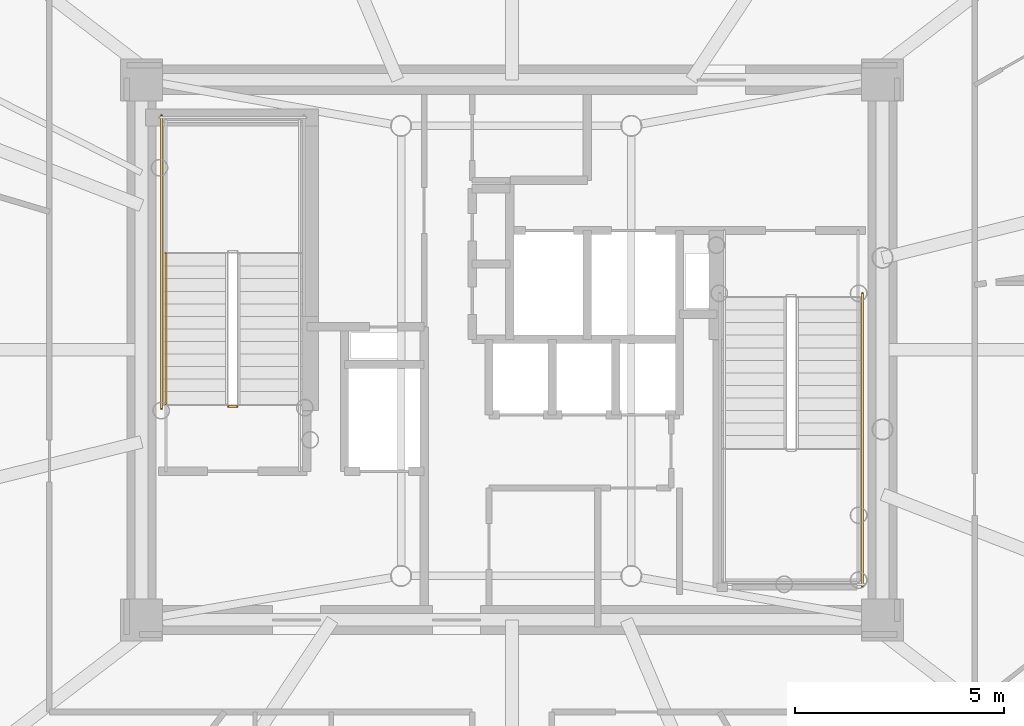
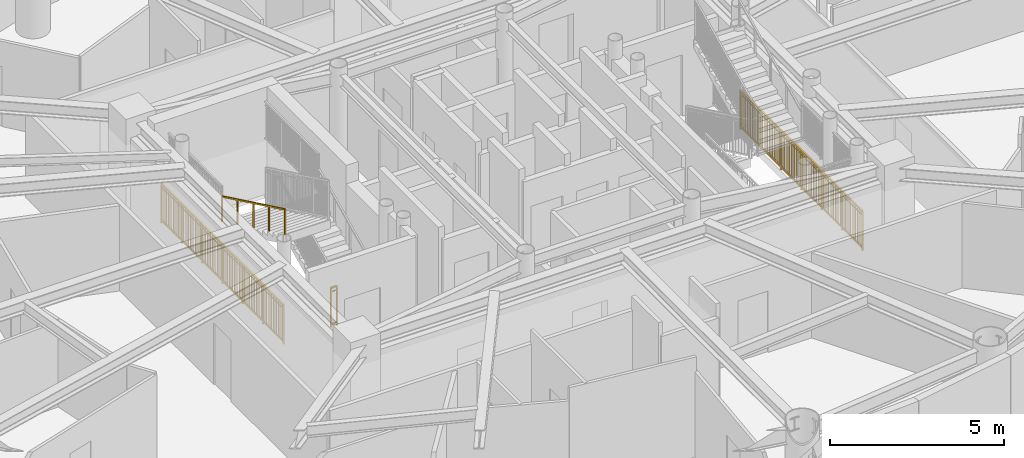
# One storey, part 13 of 17: 4 railings.
"""IFC4 building model written with IfcOpenShell, lengths in metres."""

from ifc_helpers import new_model, si_unit, direction, frame, origin, origin_2d, place, context, subcontext, project, spatial, rectangle, extrude, source, transform, mapped, material, type_object, element, save


model = new_model("IFC4")

# Units and contexts
model_context = context("Model", 3, precision=1e-05, world=origin(), true_north=direction((0.0, 1.0)))
body_context = subcontext(model_context, "Body", "Model", "MODEL_VIEW")
ifc_project = project(units=[si_unit("LENGTHUNIT", "METRE"), si_unit("AREAUNIT", "SQUARE_METRE"), si_unit("VOLUMEUNIT", "CUBIC_METRE"), si_unit("PLANEANGLEUNIT", "RADIAN"), si_unit("MASSUNIT", "GRAM", prefix="KILO")], contexts=[model_context])

# Site, building, storey
site_placement = place(None, origin())
site = spatial("IfcSite", under=ifc_project, at=site_placement, CompositionType="ELEMENT")
building_placement = place(site_placement, origin())
building = spatial("IfcBuilding", under=site, at=building_placement, Name="Linh Dai School and Residence Tower", CompositionType="ELEMENT")
storey_placement = place(building_placement, frame((0.0, 0.0, 280.5)))
storey = spatial("IfcBuildingStorey", under=building, at=storey_placement, Name="L69", CompositionType="ELEMENT", Elevation=280.5)

# Railings
ifc_material_1 = material(Name="Structural Steel S355JR", Category="steel")
railing_type_1 = type_object("IfcRailingType", Name="RL-ST-GUARD-1400", PredefinedType="GUARDRAIL", material=ifc_material_1)
shared_shape_1 = source(origin(), body_context, "Body", "SweptSolid", [
    extrude(rectangle(XDim=0.048095703125, YDim=0.048095703125, at=origin_2d()), frame((0.0, 0.0, 1.3759765625), z_axis=(-1.0, 0.0, 0.0), x_axis=(0.0, -1.0, 0.0)), (0.0, 0.0, 1.0), 0.199951171875),
    extrude(rectangle(XDim=0.048095703125, YDim=0.048095703125, at=origin_2d()), frame((0.0, 0.0, 0.10009765625), z_axis=(-1.0, 0.0, 0.0), x_axis=(0.0, -1.0, 0.0)), (0.0, 0.0, 1.0), 0.199951171875),
    extrude(rectangle(XDim=0.030029296875, YDim=0.030029296875, at=origin_2d()), frame((0.0, 0.0, 1.239990234375), z_axis=(-1.0, 0.0, 0.0), x_axis=(0.0, -1.0, 0.0)), (0.0, 0.0, 1.0), 0.199951171875),
    extrude(rectangle(XDim=0.0419921875, YDim=0.0419921875, at=origin_2d()), origin(), (0.0, 0.0, 1.0), 1.3759765625),
    extrude(rectangle(XDim=0.0419921875, YDim=0.0419921875, at=origin_2d()), frame((-0.199951171875, 0.0, 0.0)), (0.0, 0.0, 1.0), 1.3759765625),
])
railing_1_placement = place(storey_placement, frame((29.429931640625, 25.64990234375, 0.0)))
element("IfcRailing", 1, at=railing_1_placement, inside=storey, type_object=railing_type_1, Name="L69 ST1 stair guard 7", PredefinedType="GUARDRAIL", context=body_context, shape_type="MappedRepresentation", body=[
    mapped(shared_shape_1, transform((0.0, 0.0, 0.0), x_axis=(1.0, 0.0, 0.0), y_axis=(0.0, 1.0, 0.0), z_axis=(0.0, 0.0, 1.0), scale=1.0)),
])
shared_shape_2 = source(origin(), body_context, "Body", "SweptSolid", [
    extrude(rectangle(XDim=0.048095703125, YDim=0.048095703125, at=origin_2d()), frame((0.0, 0.0, 1.3759765625), z_axis=(0.0, 1.0, 0.0), x_axis=(-1.0, 0.0, 0.0)), (0.0, 0.0, 1.0), 7.0),
    extrude(rectangle(XDim=0.048095703125, YDim=0.048095703125, at=origin_2d()), frame((0.0, 0.0, 0.10009765625), z_axis=(0.0, 1.0, 0.0), x_axis=(-1.0, 0.0, 0.0)), (0.0, 0.0, 1.0), 7.0),
    extrude(rectangle(XDim=0.030029296875, YDim=0.030029296875, at=origin_2d()), frame((0.0, 0.0, 1.239990234375), z_axis=(0.0, 1.0, 0.0), x_axis=(-1.0, 0.0, 0.0)), (0.0, 0.0, 1.0), 7.0),
    extrude(rectangle(XDim=0.02001953125, YDim=0.02001953125, at=origin_2d()), frame((0.0, 0.09716796875, 0.10009765625)), (0.0, 0.0, 1.0), 1.251708984375),
    extrude(rectangle(XDim=0.02001953125, YDim=0.02001953125, at=origin_2d()), frame((0.0, 0.1943359375, 0.10009765625)), (0.0, 0.0, 1.0), 1.251708984375),
    extrude(rectangle(XDim=0.02001953125, YDim=0.02001953125, at=origin_2d()), frame((0.0, 0.291748046875, 0.10009765625)), (0.0, 0.0, 1.0), 1.251708984375),
    extrude(rectangle(XDim=0.02001953125, YDim=0.02001953125, at=origin_2d()), frame((0.0, 0.388916015625, 0.10009765625)), (0.0, 0.0, 1.0), 1.251708984375),
    extrude(rectangle(XDim=0.02001953125, YDim=0.02001953125, at=origin_2d()), frame((0.0, 0.486083984375, 0.10009765625)), (0.0, 0.0, 1.0), 1.251708984375),
    extrude(rectangle(XDim=0.02001953125, YDim=0.02001953125, at=origin_2d()), frame((0.0, 0.583251953125, 0.10009765625)), (0.0, 0.0, 1.0), 1.251708984375),
    extrude(rectangle(XDim=0.02001953125, YDim=0.02001953125, at=origin_2d()), frame((0.0, 0.6806640625, 0.10009765625)), (0.0, 0.0, 1.0), 1.251708984375),
    extrude(rectangle(XDim=0.02001953125, YDim=0.02001953125, at=origin_2d()), frame((0.0, 0.77783203125, 0.10009765625)), (0.0, 0.0, 1.0), 1.251708984375),
    extrude(rectangle(XDim=0.02001953125, YDim=0.02001953125, at=origin_2d()), frame((0.0, 0.875, 0.10009765625)), (0.0, 0.0, 1.0), 1.251708984375),
    extrude(rectangle(XDim=0.02001953125, YDim=0.02001953125, at=origin_2d()), frame((0.0, 0.97216796875, 0.10009765625)), (0.0, 0.0, 1.0), 1.251708984375),
    extrude(rectangle(XDim=0.02001953125, YDim=0.02001953125, at=origin_2d()), frame((0.0, 1.0693359375, 0.10009765625)), (0.0, 0.0, 1.0), 1.251708984375),
    extrude(rectangle(XDim=0.02001953125, YDim=0.02001953125, at=origin_2d()), frame((0.0, 1.263916015625, 0.10009765625)), (0.0, 0.0, 1.0), 1.251708984375),
    extrude(rectangle(XDim=0.02001953125, YDim=0.02001953125, at=origin_2d()), frame((0.0, 1.361083984375, 0.10009765625)), (0.0, 0.0, 1.0), 1.251708984375),
    extrude(rectangle(XDim=0.02001953125, YDim=0.02001953125, at=origin_2d()), frame((0.0, 1.458251953125, 0.10009765625)), (0.0, 0.0, 1.0), 1.251708984375),
    extrude(rectangle(XDim=0.02001953125, YDim=0.02001953125, at=origin_2d()), frame((0.0, 1.5556640625, 0.10009765625)), (0.0, 0.0, 1.0), 1.251708984375),
    extrude(rectangle(XDim=0.02001953125, YDim=0.02001953125, at=origin_2d()), frame((0.0, 1.65283203125, 0.10009765625)), (0.0, 0.0, 1.0), 1.251708984375),
    extrude(rectangle(XDim=0.02001953125, YDim=0.02001953125, at=origin_2d()), frame((0.0, 1.75, 0.10009765625)), (0.0, 0.0, 1.0), 1.251708984375),
    extrude(rectangle(XDim=0.02001953125, YDim=0.02001953125, at=origin_2d()), frame((0.0, 1.84716796875, 0.10009765625)), (0.0, 0.0, 1.0), 1.251708984375),
    extrude(rectangle(XDim=0.02001953125, YDim=0.02001953125, at=origin_2d()), frame((0.0, 1.9443359375, 0.10009765625)), (0.0, 0.0, 1.0), 1.251708984375),
    extrude(rectangle(XDim=0.02001953125, YDim=0.02001953125, at=origin_2d()), frame((0.0, 2.041748046875, 0.10009765625)), (0.0, 0.0, 1.0), 1.251708984375),
    extrude(rectangle(XDim=0.02001953125, YDim=0.02001953125, at=origin_2d()), frame((0.0, 2.138916015625, 0.10009765625)), (0.0, 0.0, 1.0), 1.251708984375),
    extrude(rectangle(XDim=0.02001953125, YDim=0.02001953125, at=origin_2d()), frame((0.0, 2.236083984375, 0.10009765625)), (0.0, 0.0, 1.0), 1.251708984375),
    extrude(rectangle(XDim=0.02001953125, YDim=0.02001953125, at=origin_2d()), frame((0.0, 2.4306640625, 0.10009765625)), (0.0, 0.0, 1.0), 1.251708984375),
    extrude(rectangle(XDim=0.02001953125, YDim=0.02001953125, at=origin_2d()), frame((0.0, 2.52783203125, 0.10009765625)), (0.0, 0.0, 1.0), 1.251708984375),
    extrude(rectangle(XDim=0.02001953125, YDim=0.02001953125, at=origin_2d()), frame((0.0, 2.625, 0.10009765625)), (0.0, 0.0, 1.0), 1.251708984375),
    extrude(rectangle(XDim=0.02001953125, YDim=0.02001953125, at=origin_2d()), frame((0.0, 2.72216796875, 0.10009765625)), (0.0, 0.0, 1.0), 1.251708984375),
    extrude(rectangle(XDim=0.02001953125, YDim=0.02001953125, at=origin_2d()), frame((0.0, 2.8193359375, 0.10009765625)), (0.0, 0.0, 1.0), 1.251708984375),
    extrude(rectangle(XDim=0.02001953125, YDim=0.02001953125, at=origin_2d()), frame((0.0, 2.916748046875, 0.10009765625)), (0.0, 0.0, 1.0), 1.251708984375),
    extrude(rectangle(XDim=0.02001953125, YDim=0.02001953125, at=origin_2d()), frame((0.0, 3.013916015625, 0.10009765625)), (0.0, 0.0, 1.0), 1.251708984375),
    extrude(rectangle(XDim=0.02001953125, YDim=0.02001953125, at=origin_2d()), frame((0.0, 3.111083984375, 0.10009765625)), (0.0, 0.0, 1.0), 1.251708984375),
    extrude(rectangle(XDim=0.02001953125, YDim=0.02001953125, at=origin_2d()), frame((0.0, 3.208251953125, 0.10009765625)), (0.0, 0.0, 1.0), 1.251708984375),
    extrude(rectangle(XDim=0.02001953125, YDim=0.02001953125, at=origin_2d()), frame((0.0, 3.3056640625, 0.10009765625)), (0.0, 0.0, 1.0), 1.251708984375),
    extrude(rectangle(XDim=0.02001953125, YDim=0.02001953125, at=origin_2d()), frame((0.0, 3.40283203125, 0.10009765625)), (0.0, 0.0, 1.0), 1.251708984375),
    extrude(rectangle(XDim=0.02001953125, YDim=0.02001953125, at=origin_2d()), frame((0.0, 3.59716796875, 0.10009765625)), (0.0, 0.0, 1.0), 1.251708984375),
    extrude(rectangle(XDim=0.02001953125, YDim=0.02001953125, at=origin_2d()), frame((0.0, 3.6943359375, 0.10009765625)), (0.0, 0.0, 1.0), 1.251708984375),
    extrude(rectangle(XDim=0.02001953125, YDim=0.02001953125, at=origin_2d()), frame((0.0, 3.791748046875, 0.10009765625)), (0.0, 0.0, 1.0), 1.251708984375),
    extrude(rectangle(XDim=0.02001953125, YDim=0.02001953125, at=origin_2d()), frame((0.0, 3.888916015625, 0.10009765625)), (0.0, 0.0, 1.0), 1.251708984375),
    extrude(rectangle(XDim=0.02001953125, YDim=0.02001953125, at=origin_2d()), frame((0.0, 3.986083984375, 0.10009765625)), (0.0, 0.0, 1.0), 1.251708984375),
    extrude(rectangle(XDim=0.02001953125, YDim=0.02001953125, at=origin_2d()), frame((0.0, 4.083251953125, 0.10009765625)), (0.0, 0.0, 1.0), 1.251708984375),
    extrude(rectangle(XDim=0.02001953125, YDim=0.02001953125, at=origin_2d()), frame((0.0, 4.1806640625, 0.10009765625)), (0.0, 0.0, 1.0), 1.251708984375),
    extrude(rectangle(XDim=0.02001953125, YDim=0.02001953125, at=origin_2d()), frame((0.0, 4.27783203125, 0.10009765625)), (0.0, 0.0, 1.0), 1.251708984375),
    extrude(rectangle(XDim=0.02001953125, YDim=0.02001953125, at=origin_2d()), frame((0.0, 4.375, 0.10009765625)), (0.0, 0.0, 1.0), 1.251708984375),
    extrude(rectangle(XDim=0.02001953125, YDim=0.02001953125, at=origin_2d()), frame((0.0, 4.47216796875, 0.10009765625)), (0.0, 0.0, 1.0), 1.251708984375),
    extrude(rectangle(XDim=0.02001953125, YDim=0.02001953125, at=origin_2d()), frame((0.0, 4.5693359375, 0.10009765625)), (0.0, 0.0, 1.0), 1.251708984375),
    extrude(rectangle(XDim=0.02001953125, YDim=0.02001953125, at=origin_2d()), frame((0.0, 4.763916015625, 0.10009765625)), (0.0, 0.0, 1.0), 1.251708984375),
    extrude(rectangle(XDim=0.02001953125, YDim=0.02001953125, at=origin_2d()), frame((0.0, 4.861083984375, 0.10009765625)), (0.0, 0.0, 1.0), 1.251708984375),
    extrude(rectangle(XDim=0.02001953125, YDim=0.02001953125, at=origin_2d()), frame((0.0, 4.958251953125, 0.10009765625)), (0.0, 0.0, 1.0), 1.251708984375),
    extrude(rectangle(XDim=0.02001953125, YDim=0.02001953125, at=origin_2d()), frame((0.0, 5.0556640625, 0.10009765625)), (0.0, 0.0, 1.0), 1.251708984375),
    extrude(rectangle(XDim=0.02001953125, YDim=0.02001953125, at=origin_2d()), frame((0.0, 5.15283203125, 0.10009765625)), (0.0, 0.0, 1.0), 1.251708984375),
    extrude(rectangle(XDim=0.02001953125, YDim=0.02001953125, at=origin_2d()), frame((0.0, 5.25, 0.10009765625)), (0.0, 0.0, 1.0), 1.251708984375),
    extrude(rectangle(XDim=0.02001953125, YDim=0.02001953125, at=origin_2d()), frame((0.0, 5.34716796875, 0.10009765625)), (0.0, 0.0, 1.0), 1.251708984375),
    extrude(rectangle(XDim=0.02001953125, YDim=0.02001953125, at=origin_2d()), frame((0.0, 5.4443359375, 0.10009765625)), (0.0, 0.0, 1.0), 1.251708984375),
    extrude(rectangle(XDim=0.02001953125, YDim=0.02001953125, at=origin_2d()), frame((0.0, 5.541748046875, 0.10009765625)), (0.0, 0.0, 1.0), 1.251708984375),
    extrude(rectangle(XDim=0.02001953125, YDim=0.02001953125, at=origin_2d()), frame((0.0, 5.638916015625, 0.10009765625)), (0.0, 0.0, 1.0), 1.251708984375),
    extrude(rectangle(XDim=0.02001953125, YDim=0.02001953125, at=origin_2d()), frame((0.0, 5.736083984375, 0.10009765625)), (0.0, 0.0, 1.0), 1.251708984375),
    extrude(rectangle(XDim=0.02001953125, YDim=0.02001953125, at=origin_2d()), frame((0.0, 5.9306640625, 0.10009765625)), (0.0, 0.0, 1.0), 1.251708984375),
    extrude(rectangle(XDim=0.02001953125, YDim=0.02001953125, at=origin_2d()), frame((0.0, 6.02783203125, 0.10009765625)), (0.0, 0.0, 1.0), 1.251708984375),
    extrude(rectangle(XDim=0.02001953125, YDim=0.02001953125, at=origin_2d()), frame((0.0, 6.125, 0.10009765625)), (0.0, 0.0, 1.0), 1.251708984375),
    extrude(rectangle(XDim=0.02001953125, YDim=0.02001953125, at=origin_2d()), frame((0.0, 6.22216796875, 0.10009765625)), (0.0, 0.0, 1.0), 1.251708984375),
    extrude(rectangle(XDim=0.02001953125, YDim=0.02001953125, at=origin_2d()), frame((0.0, 6.3193359375, 0.10009765625)), (0.0, 0.0, 1.0), 1.251708984375),
    extrude(rectangle(XDim=0.02001953125, YDim=0.02001953125, at=origin_2d()), frame((0.0, 6.416748046875, 0.10009765625)), (0.0, 0.0, 1.0), 1.251708984375),
    extrude(rectangle(XDim=0.02001953125, YDim=0.02001953125, at=origin_2d()), frame((0.0, 6.513916015625, 0.10009765625)), (0.0, 0.0, 1.0), 1.251708984375),
    extrude(rectangle(XDim=0.02001953125, YDim=0.02001953125, at=origin_2d()), frame((0.0, 6.611083984375, 0.10009765625)), (0.0, 0.0, 1.0), 1.251708984375),
    extrude(rectangle(XDim=0.02001953125, YDim=0.02001953125, at=origin_2d()), frame((0.0, 6.708251953125, 0.10009765625)), (0.0, 0.0, 1.0), 1.251708984375),
    extrude(rectangle(XDim=0.02001953125, YDim=0.02001953125, at=origin_2d()), frame((0.0, 6.8056640625, 0.10009765625)), (0.0, 0.0, 1.0), 1.251708984375),
    extrude(rectangle(XDim=0.02001953125, YDim=0.02001953125, at=origin_2d()), frame((0.0, 6.90283203125, 0.10009765625)), (0.0, 0.0, 1.0), 1.251708984375),
    extrude(rectangle(XDim=0.0419921875, YDim=0.0419921875, at=origin_2d()), origin(), (0.0, 0.0, 1.0), 1.3759765625),
    extrude(rectangle(XDim=0.0419921875, YDim=0.0419921875, at=origin_2d()), frame((0.0, 1.166748046875, 0.0)), (0.0, 0.0, 1.0), 1.3759765625),
    extrude(rectangle(XDim=0.0419921875, YDim=0.0419921875, at=origin_2d()), frame((0.0, 2.333251953125, 0.0)), (0.0, 0.0, 1.0), 1.3759765625),
    extrude(rectangle(XDim=0.0419921875, YDim=0.0419921875, at=origin_2d()), frame((0.0, 3.5, 0.0)), (0.0, 0.0, 1.0), 1.3759765625),
    extrude(rectangle(XDim=0.0419921875, YDim=0.0419921875, at=origin_2d()), frame((0.0, 4.666748046875, 0.0)), (0.0, 0.0, 1.0), 1.3759765625),
    extrude(rectangle(XDim=0.0419921875, YDim=0.0419921875, at=origin_2d()), frame((0.0, 5.833251953125, 0.0)), (0.0, 0.0, 1.0), 1.3759765625),
    extrude(rectangle(XDim=0.0419921875, YDim=0.0419921875, at=origin_2d()), frame((0.0, 7.0, 0.0)), (0.0, 0.0, 1.0), 1.3759765625),
])
railing_2_placement = place(storey_placement, frame((27.6298828125, 25.60009765625, 0.0)))
element("IfcRailing", 2, at=railing_2_placement, inside=storey, type_object=railing_type_1, Name="L69 ST1 stair guard 11", PredefinedType="GUARDRAIL", context=body_context, shape_type="MappedRepresentation", body=[
    mapped(shared_shape_2, transform((0.0, 0.0, 0.0), x_axis=(1.0, 0.0, 0.0), y_axis=(0.0, 1.0, 0.0), z_axis=(0.0, 0.0, 1.0), scale=1.0)),
])
ifc_material_2 = material(Name="Brushed Stainless Steel Handrail", Category="steel")
railing_type_2 = type_object("IfcRailingType", Name="RL-ST-HANDRAIL-900", PredefinedType="HANDRAIL", material=ifc_material_2)
shared_shape_3 = source(origin(), body_context, "Body", "SweptSolid", [
    extrude(rectangle(XDim=0.048095703125, YDim=0.048095703125, at=origin_2d()), frame((0.0, 0.0, 0.8759765625), z_axis=(0.0, -0.901262522062, 0.433273431364), x_axis=(1.0, 0.0, 0.0)), (0.0, 0.0, 1.0), 3.994384765625),
    extrude(rectangle(XDim=0.0419921875, YDim=0.0419921875, at=origin_2d()), origin(), (0.0, 0.0, 1.0), 0.8759765625),
    extrude(rectangle(XDim=0.0419921875, YDim=0.0419921875, at=origin_2d()), frame((0.0, -0.89990234375, 0.4326171875)), (0.0, 0.0, 1.0), 0.8759765625),
    extrude(rectangle(XDim=0.0419921875, YDim=0.0419921875, at=origin_2d()), frame((0.0, -1.800048828125, 0.865234375)), (0.0, 0.0, 1.0), 0.8759765625),
    extrude(rectangle(XDim=0.0419921875, YDim=0.0419921875, at=origin_2d()), frame((0.0, -2.7001953125, 1.298095703125)), (0.0, 0.0, 1.0), 0.8759765625),
    extrude(rectangle(XDim=0.0419921875, YDim=0.0419921875, at=origin_2d()), frame((0.0, -3.60009765625, 1.730712890625)), (0.0, 0.0, 1.0), 0.8759765625),
])
railing_3_placement = place(storey_placement, frame((27.72998046875, 29.300048828125, 2.019287109375)))
element("IfcRailing", 3, at=railing_3_placement, inside=storey, type_object=railing_type_2, Name="L69 ST1 stair handrail 2", PredefinedType="HANDRAIL", context=body_context, shape_type="MappedRepresentation", body=[
    mapped(shared_shape_3, transform((0.0, 0.0, 0.0), x_axis=(1.0, 0.0, 0.0), y_axis=(0.0, 1.0, 0.0), z_axis=(0.0, 0.0, 1.0), scale=1.0)),
])
shared_shape_4 = source(origin(), body_context, "Body", "SweptSolid", [
    extrude(rectangle(XDim=0.048095703125, YDim=0.048095703125, at=origin_2d()), frame((0.0, 0.0, 1.3759765625), z_axis=(0.0, -1.0, 0.0), x_axis=(1.0, 0.0, 0.0)), (0.0, 0.0, 1.0), 7.0),
    extrude(rectangle(XDim=0.048095703125, YDim=0.048095703125, at=origin_2d()), frame((0.0, 0.0, 0.10009765625), z_axis=(0.0, -1.0, 0.0), x_axis=(1.0, 0.0, 0.0)), (0.0, 0.0, 1.0), 7.0),
    extrude(rectangle(XDim=0.030029296875, YDim=0.030029296875, at=origin_2d()), frame((0.0, 0.0, 1.239990234375), z_axis=(0.0, -1.0, 0.0), x_axis=(1.0, 0.0, 0.0)), (0.0, 0.0, 1.0), 7.0),
    extrude(rectangle(XDim=0.02001953125, YDim=0.02001953125, at=origin_2d()), frame((0.0, -0.09716796875, 0.10009765625)), (0.0, 0.0, 1.0), 1.251708984375),
    extrude(rectangle(XDim=0.02001953125, YDim=0.02001953125, at=origin_2d()), frame((0.0, -0.1943359375, 0.10009765625)), (0.0, 0.0, 1.0), 1.251708984375),
    extrude(rectangle(XDim=0.02001953125, YDim=0.02001953125, at=origin_2d()), frame((0.0, -0.291748046875, 0.10009765625)), (0.0, 0.0, 1.0), 1.251708984375),
    extrude(rectangle(XDim=0.02001953125, YDim=0.02001953125, at=origin_2d()), frame((0.0, -0.388916015625, 0.10009765625)), (0.0, 0.0, 1.0), 1.251708984375),
    extrude(rectangle(XDim=0.02001953125, YDim=0.02001953125, at=origin_2d()), frame((0.0, -0.486083984375, 0.10009765625)), (0.0, 0.0, 1.0), 1.251708984375),
    extrude(rectangle(XDim=0.02001953125, YDim=0.02001953125, at=origin_2d()), frame((0.0, -0.583251953125, 0.10009765625)), (0.0, 0.0, 1.0), 1.251708984375),
    extrude(rectangle(XDim=0.02001953125, YDim=0.02001953125, at=origin_2d()), frame((0.0, -0.6806640625, 0.10009765625)), (0.0, 0.0, 1.0), 1.251708984375),
    extrude(rectangle(XDim=0.02001953125, YDim=0.02001953125, at=origin_2d()), frame((0.0, -0.77783203125, 0.10009765625)), (0.0, 0.0, 1.0), 1.251708984375),
    extrude(rectangle(XDim=0.02001953125, YDim=0.02001953125, at=origin_2d()), frame((0.0, -0.875, 0.10009765625)), (0.0, 0.0, 1.0), 1.251708984375),
    extrude(rectangle(XDim=0.02001953125, YDim=0.02001953125, at=origin_2d()), frame((0.0, -0.97216796875, 0.10009765625)), (0.0, 0.0, 1.0), 1.251708984375),
    extrude(rectangle(XDim=0.02001953125, YDim=0.02001953125, at=origin_2d()), frame((0.0, -1.0693359375, 0.10009765625)), (0.0, 0.0, 1.0), 1.251708984375),
    extrude(rectangle(XDim=0.02001953125, YDim=0.02001953125, at=origin_2d()), frame((0.0, -1.263916015625, 0.10009765625)), (0.0, 0.0, 1.0), 1.251708984375),
    extrude(rectangle(XDim=0.02001953125, YDim=0.02001953125, at=origin_2d()), frame((0.0, -1.361083984375, 0.10009765625)), (0.0, 0.0, 1.0), 1.251708984375),
    extrude(rectangle(XDim=0.02001953125, YDim=0.02001953125, at=origin_2d()), frame((0.0, -1.458251953125, 0.10009765625)), (0.0, 0.0, 1.0), 1.251708984375),
    extrude(rectangle(XDim=0.02001953125, YDim=0.02001953125, at=origin_2d()), frame((0.0, -1.5556640625, 0.10009765625)), (0.0, 0.0, 1.0), 1.251708984375),
    extrude(rectangle(XDim=0.02001953125, YDim=0.02001953125, at=origin_2d()), frame((0.0, -1.65283203125, 0.10009765625)), (0.0, 0.0, 1.0), 1.251708984375),
    extrude(rectangle(XDim=0.02001953125, YDim=0.02001953125, at=origin_2d()), frame((0.0, -1.75, 0.10009765625)), (0.0, 0.0, 1.0), 1.251708984375),
    extrude(rectangle(XDim=0.02001953125, YDim=0.02001953125, at=origin_2d()), frame((0.0, -1.84716796875, 0.10009765625)), (0.0, 0.0, 1.0), 1.251708984375),
    extrude(rectangle(XDim=0.02001953125, YDim=0.02001953125, at=origin_2d()), frame((0.0, -1.9443359375, 0.10009765625)), (0.0, 0.0, 1.0), 1.251708984375),
    extrude(rectangle(XDim=0.02001953125, YDim=0.02001953125, at=origin_2d()), frame((0.0, -2.041748046875, 0.10009765625)), (0.0, 0.0, 1.0), 1.251708984375),
    extrude(rectangle(XDim=0.02001953125, YDim=0.02001953125, at=origin_2d()), frame((0.0, -2.138916015625, 0.10009765625)), (0.0, 0.0, 1.0), 1.251708984375),
    extrude(rectangle(XDim=0.02001953125, YDim=0.02001953125, at=origin_2d()), frame((0.0, -2.236083984375, 0.10009765625)), (0.0, 0.0, 1.0), 1.251708984375),
    extrude(rectangle(XDim=0.02001953125, YDim=0.02001953125, at=origin_2d()), frame((0.0, -2.4306640625, 0.10009765625)), (0.0, 0.0, 1.0), 1.251708984375),
    extrude(rectangle(XDim=0.02001953125, YDim=0.02001953125, at=origin_2d()), frame((0.0, -2.52783203125, 0.10009765625)), (0.0, 0.0, 1.0), 1.251708984375),
    extrude(rectangle(XDim=0.02001953125, YDim=0.02001953125, at=origin_2d()), frame((0.0, -2.625, 0.10009765625)), (0.0, 0.0, 1.0), 1.251708984375),
    extrude(rectangle(XDim=0.02001953125, YDim=0.02001953125, at=origin_2d()), frame((0.0, -2.72216796875, 0.10009765625)), (0.0, 0.0, 1.0), 1.251708984375),
    extrude(rectangle(XDim=0.02001953125, YDim=0.02001953125, at=origin_2d()), frame((0.0, -2.8193359375, 0.10009765625)), (0.0, 0.0, 1.0), 1.251708984375),
    extrude(rectangle(XDim=0.02001953125, YDim=0.02001953125, at=origin_2d()), frame((0.0, -2.916748046875, 0.10009765625)), (0.0, 0.0, 1.0), 1.251708984375),
    extrude(rectangle(XDim=0.02001953125, YDim=0.02001953125, at=origin_2d()), frame((0.0, -3.013916015625, 0.10009765625)), (0.0, 0.0, 1.0), 1.251708984375),
    extrude(rectangle(XDim=0.02001953125, YDim=0.02001953125, at=origin_2d()), frame((0.0, -3.111083984375, 0.10009765625)), (0.0, 0.0, 1.0), 1.251708984375),
    extrude(rectangle(XDim=0.02001953125, YDim=0.02001953125, at=origin_2d()), frame((0.0, -3.208251953125, 0.10009765625)), (0.0, 0.0, 1.0), 1.251708984375),
    extrude(rectangle(XDim=0.02001953125, YDim=0.02001953125, at=origin_2d()), frame((0.0, -3.3056640625, 0.10009765625)), (0.0, 0.0, 1.0), 1.251708984375),
    extrude(rectangle(XDim=0.02001953125, YDim=0.02001953125, at=origin_2d()), frame((0.0, -3.40283203125, 0.10009765625)), (0.0, 0.0, 1.0), 1.251708984375),
    extrude(rectangle(XDim=0.02001953125, YDim=0.02001953125, at=origin_2d()), frame((0.0, -3.59716796875, 0.10009765625)), (0.0, 0.0, 1.0), 1.251708984375),
    extrude(rectangle(XDim=0.02001953125, YDim=0.02001953125, at=origin_2d()), frame((0.0, -3.6943359375, 0.10009765625)), (0.0, 0.0, 1.0), 1.251708984375),
    extrude(rectangle(XDim=0.02001953125, YDim=0.02001953125, at=origin_2d()), frame((0.0, -3.791748046875, 0.10009765625)), (0.0, 0.0, 1.0), 1.251708984375),
    extrude(rectangle(XDim=0.02001953125, YDim=0.02001953125, at=origin_2d()), frame((0.0, -3.888916015625, 0.10009765625)), (0.0, 0.0, 1.0), 1.251708984375),
    extrude(rectangle(XDim=0.02001953125, YDim=0.02001953125, at=origin_2d()), frame((0.0, -3.986083984375, 0.10009765625)), (0.0, 0.0, 1.0), 1.251708984375),
    extrude(rectangle(XDim=0.02001953125, YDim=0.02001953125, at=origin_2d()), frame((0.0, -4.083251953125, 0.10009765625)), (0.0, 0.0, 1.0), 1.251708984375),
    extrude(rectangle(XDim=0.02001953125, YDim=0.02001953125, at=origin_2d()), frame((0.0, -4.1806640625, 0.10009765625)), (0.0, 0.0, 1.0), 1.251708984375),
    extrude(rectangle(XDim=0.02001953125, YDim=0.02001953125, at=origin_2d()), frame((0.0, -4.27783203125, 0.10009765625)), (0.0, 0.0, 1.0), 1.251708984375),
    extrude(rectangle(XDim=0.02001953125, YDim=0.02001953125, at=origin_2d()), frame((0.0, -4.375, 0.10009765625)), (0.0, 0.0, 1.0), 1.251708984375),
    extrude(rectangle(XDim=0.02001953125, YDim=0.02001953125, at=origin_2d()), frame((0.0, -4.47216796875, 0.10009765625)), (0.0, 0.0, 1.0), 1.251708984375),
    extrude(rectangle(XDim=0.02001953125, YDim=0.02001953125, at=origin_2d()), frame((0.0, -4.5693359375, 0.10009765625)), (0.0, 0.0, 1.0), 1.251708984375),
    extrude(rectangle(XDim=0.02001953125, YDim=0.02001953125, at=origin_2d()), frame((0.0, -4.763916015625, 0.10009765625)), (0.0, 0.0, 1.0), 1.251708984375),
    extrude(rectangle(XDim=0.02001953125, YDim=0.02001953125, at=origin_2d()), frame((0.0, -4.861083984375, 0.10009765625)), (0.0, 0.0, 1.0), 1.251708984375),
    extrude(rectangle(XDim=0.02001953125, YDim=0.02001953125, at=origin_2d()), frame((0.0, -4.958251953125, 0.10009765625)), (0.0, 0.0, 1.0), 1.251708984375),
    extrude(rectangle(XDim=0.02001953125, YDim=0.02001953125, at=origin_2d()), frame((0.0, -5.0556640625, 0.10009765625)), (0.0, 0.0, 1.0), 1.251708984375),
    extrude(rectangle(XDim=0.02001953125, YDim=0.02001953125, at=origin_2d()), frame((0.0, -5.15283203125, 0.10009765625)), (0.0, 0.0, 1.0), 1.251708984375),
    extrude(rectangle(XDim=0.02001953125, YDim=0.02001953125, at=origin_2d()), frame((0.0, -5.25, 0.10009765625)), (0.0, 0.0, 1.0), 1.251708984375),
    extrude(rectangle(XDim=0.02001953125, YDim=0.02001953125, at=origin_2d()), frame((0.0, -5.34716796875, 0.10009765625)), (0.0, 0.0, 1.0), 1.251708984375),
    extrude(rectangle(XDim=0.02001953125, YDim=0.02001953125, at=origin_2d()), frame((0.0, -5.4443359375, 0.10009765625)), (0.0, 0.0, 1.0), 1.251708984375),
    extrude(rectangle(XDim=0.02001953125, YDim=0.02001953125, at=origin_2d()), frame((0.0, -5.541748046875, 0.10009765625)), (0.0, 0.0, 1.0), 1.251708984375),
    extrude(rectangle(XDim=0.02001953125, YDim=0.02001953125, at=origin_2d()), frame((0.0, -5.638916015625, 0.10009765625)), (0.0, 0.0, 1.0), 1.251708984375),
    extrude(rectangle(XDim=0.02001953125, YDim=0.02001953125, at=origin_2d()), frame((0.0, -5.736083984375, 0.10009765625)), (0.0, 0.0, 1.0), 1.251708984375),
    extrude(rectangle(XDim=0.02001953125, YDim=0.02001953125, at=origin_2d()), frame((0.0, -5.9306640625, 0.10009765625)), (0.0, 0.0, 1.0), 1.251708984375),
    extrude(rectangle(XDim=0.02001953125, YDim=0.02001953125, at=origin_2d()), frame((0.0, -6.02783203125, 0.10009765625)), (0.0, 0.0, 1.0), 1.251708984375),
    extrude(rectangle(XDim=0.02001953125, YDim=0.02001953125, at=origin_2d()), frame((0.0, -6.125, 0.10009765625)), (0.0, 0.0, 1.0), 1.251708984375),
    extrude(rectangle(XDim=0.02001953125, YDim=0.02001953125, at=origin_2d()), frame((0.0, -6.22216796875, 0.10009765625)), (0.0, 0.0, 1.0), 1.251708984375),
    extrude(rectangle(XDim=0.02001953125, YDim=0.02001953125, at=origin_2d()), frame((0.0, -6.3193359375, 0.10009765625)), (0.0, 0.0, 1.0), 1.251708984375),
    extrude(rectangle(XDim=0.02001953125, YDim=0.02001953125, at=origin_2d()), frame((0.0, -6.416748046875, 0.10009765625)), (0.0, 0.0, 1.0), 1.251708984375),
    extrude(rectangle(XDim=0.02001953125, YDim=0.02001953125, at=origin_2d()), frame((0.0, -6.513916015625, 0.10009765625)), (0.0, 0.0, 1.0), 1.251708984375),
    extrude(rectangle(XDim=0.02001953125, YDim=0.02001953125, at=origin_2d()), frame((0.0, -6.611083984375, 0.10009765625)), (0.0, 0.0, 1.0), 1.251708984375),
    extrude(rectangle(XDim=0.02001953125, YDim=0.02001953125, at=origin_2d()), frame((0.0, -6.708251953125, 0.10009765625)), (0.0, 0.0, 1.0), 1.251708984375),
    extrude(rectangle(XDim=0.02001953125, YDim=0.02001953125, at=origin_2d()), frame((0.0, -6.8056640625, 0.10009765625)), (0.0, 0.0, 1.0), 1.251708984375),
    extrude(rectangle(XDim=0.02001953125, YDim=0.02001953125, at=origin_2d()), frame((0.0, -6.90283203125, 0.10009765625)), (0.0, 0.0, 1.0), 1.251708984375),
    extrude(rectangle(XDim=0.0419921875, YDim=0.0419921875, at=origin_2d()), origin(), (0.0, 0.0, 1.0), 1.3759765625),
    extrude(rectangle(XDim=0.0419921875, YDim=0.0419921875, at=origin_2d()), frame((0.0, -1.166748046875, 0.0)), (0.0, 0.0, 1.0), 1.3759765625),
    extrude(rectangle(XDim=0.0419921875, YDim=0.0419921875, at=origin_2d()), frame((0.0, -2.333251953125, 0.0)), (0.0, 0.0, 1.0), 1.3759765625),
    extrude(rectangle(XDim=0.0419921875, YDim=0.0419921875, at=origin_2d()), frame((0.0, -3.5, 0.0)), (0.0, 0.0, 1.0), 1.3759765625),
    extrude(rectangle(XDim=0.0419921875, YDim=0.0419921875, at=origin_2d()), frame((0.0, -4.666748046875, 0.0)), (0.0, 0.0, 1.0), 1.3759765625),
    extrude(rectangle(XDim=0.0419921875, YDim=0.0419921875, at=origin_2d()), frame((0.0, -5.833251953125, 0.0)), (0.0, 0.0, 1.0), 1.3759765625),
    extrude(rectangle(XDim=0.0419921875, YDim=0.0419921875, at=origin_2d()), frame((0.0, -7.0, 0.0)), (0.0, 0.0, 1.0), 1.3759765625),
])
railing_4_placement = place(storey_placement, frame((44.3701171875, 28.35009765625, 0.0)))
element("IfcRailing", 4, at=railing_4_placement, inside=storey, type_object=railing_type_1, Name="L69 ST2 stair guard 11", PredefinedType="GUARDRAIL", context=body_context, shape_type="MappedRepresentation", body=[
    mapped(shared_shape_4, transform((0.0, 0.0, 0.0), x_axis=(1.0, 0.0, 0.0), y_axis=(0.0, 1.0, 0.0), z_axis=(0.0, 0.0, 1.0), scale=1.0)),
])

save(model, "model.ifc")
